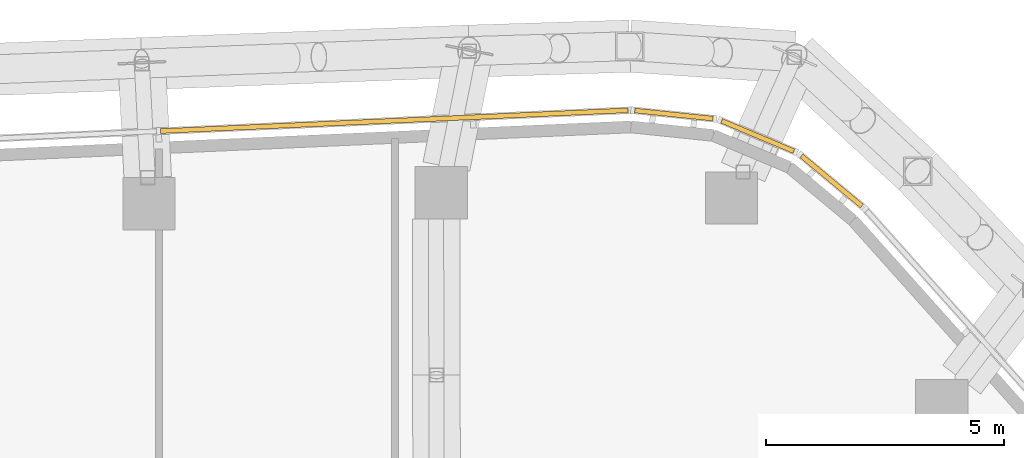
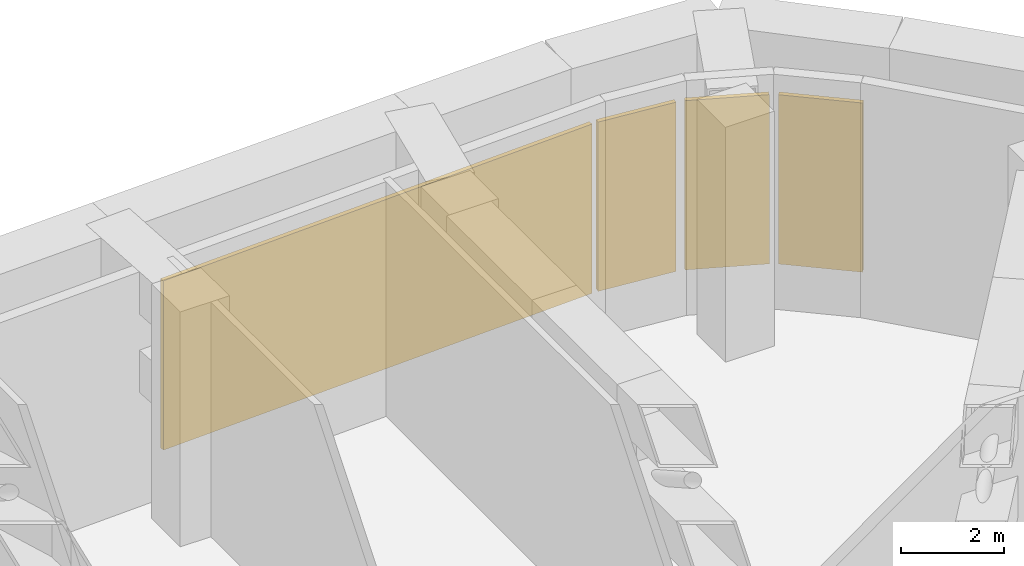
# One storey, part 31 of 31: 4 coverings, 2 elements without a shape of their own.
"""IFC4 building model written with IfcOpenShell, lengths in metres."""

from ifc_helpers import new_model, si_unit, direction, frame, origin, origin_2d, place, context, subcontext, project, spatial, rectangle, extrude, material, layer, layer_set, type_object, element, aggregate, save


model = new_model("IFC4")

# Units and contexts
model_context = context("Model", 3, precision=1e-05, world=origin(), true_north=direction((0.0, 1.0)))
body_context = subcontext(model_context, "Body", "Model", "MODEL_VIEW")
ifc_project = project(units=[si_unit("LENGTHUNIT", "METRE"), si_unit("AREAUNIT", "SQUARE_METRE"), si_unit("VOLUMEUNIT", "CUBIC_METRE"), si_unit("PLANEANGLEUNIT", "RADIAN"), si_unit("MASSUNIT", "GRAM", prefix="KILO")], contexts=[model_context])

# Site, building, storey
site_placement = place(None, origin())
site = spatial("IfcSite", under=ifc_project, at=site_placement, CompositionType="ELEMENT")
building_placement = place(site_placement, origin())
building = spatial("IfcBuilding", under=site, at=building_placement, Name="Dongbaek Canopy Tower", CompositionType="ELEMENT")
storey_placement = place(building_placement, frame((0.0, 0.0, 283.199951171875)))
storey = spatial("IfcBuildingStorey", under=building, at=storey_placement, Name="L60", CompositionType="ELEMENT", Elevation=283.199951171875)

# Curtain wall, coverings
ifc_material_1 = material(Name="Aluminium 6063-T6 pale anodised", Category="aluminium")
ifc_layer_1 = layer(ifc_material_1, 0.14990234375)
ifc_layer_set_1 = layer_set([ifc_layer_1], Name="CW-7 louvre curtain wall")
curtain_wall_type = type_object("IfcCurtainWallType", Name="CW-7 louvre curtain wall", PredefinedType="NOTDEFINED", material=ifc_layer_set_1)
curtain_wall_1_placement = place(storey_placement, origin())
curtain_wall_1 = element("IfcCurtainWall", 1, at=curtain_wall_1_placement, inside=storey, type_object=curtain_wall_type, Name="CW-7 louvre wall L60 K1", PredefinedType="NOTDEFINED")
ifc_material_2 = material(Name="Aluminium 6063-T6 pale metal louvre blades", Category="aluminium")
ifc_layer_2 = layer(ifc_material_2, 0.10009765625)
ifc_layer_set_2 = layer_set([ifc_layer_2], Name="Louvre LV bank 100 x 4000")
covering_type = type_object("IfcCoveringType", Name="Louvre LV bank 100 x 4000", PredefinedType="CLADDING", material=ifc_layer_set_2)
covering_1_placement = place(storey_placement, frame((13.101318359375, 24.958251953125, 0.775146484375), z_axis=(0.0, 0.0, 1.0), x_axis=(-0.769028273415, 0.639214764135, 0.0)))
covering_1 = element("IfcCovering", 2, at=covering_1_placement, type_object=covering_type, Name="Louvre L60 K1.1.1", PredefinedType="CLADDING", context=body_context, shape_type="SweptSolid", body=[
    extrude(rectangle(XDim=1.65234375, YDim=0.10009765625, at=origin_2d()), origin(), (0.0, 0.0, 1.0), 4.0),
])
covering_2_placement = place(storey_placement, frame((11.5439453125, 25.905029296875, 0.775146484375), z_axis=(0.0, 0.0, 1.0), x_axis=(-0.921716285141, 0.38786478276, 0.0)))
covering_2 = element("IfcCovering", 3, at=covering_2_placement, type_object=covering_type, Name="Louvre L60 K1.2.1", PredefinedType="CLADDING", context=body_context, shape_type="SweptSolid", body=[
    extrude(rectangle(XDim=1.644775390625, YDim=0.10009765625, at=origin_2d()), origin(), (0.0, 0.0, 1.0), 4.0),
])
covering_3_placement = place(storey_placement, frame((9.7783203125, 26.356689453125, 0.775146484375), z_axis=(0.0, 0.0, 1.0), x_axis=(-0.99468464791, 0.102968204863, 0.0)))
covering_3 = element("IfcCovering", 4, at=covering_3_placement, type_object=covering_type, Name="Louvre L60 K1.3.1", PredefinedType="CLADDING", context=body_context, shape_type="SweptSolid", body=[
    extrude(rectangle(XDim=1.65234375, YDim=0.10009765625, at=origin_2d()), origin(), (0.0, 0.0, 1.0), 4.0),
])
aggregate(curtain_wall_1, [covering_1, covering_2, covering_3])

# Curtain wall, covering
curtain_wall_2_placement = place(storey_placement, origin())
curtain_wall_2 = element("IfcCurtainWall", 5, at=curtain_wall_2_placement, inside=storey, type_object=curtain_wall_type, Name="CW-7 louvre wall L60 F1", PredefinedType="NOTDEFINED")
covering_4_placement = place(storey_placement, frame((3.896484375, 26.227294921875, 0.775146484375), z_axis=(0.0, 0.0, 1.0), x_axis=(-0.999013132127, -0.044415783654, 0.0)))
covering_4 = element("IfcCovering", 6, at=covering_4_placement, type_object=covering_type, Name="Louvre L60 F1.1.1", PredefinedType="CLADDING", context=body_context, shape_type="SweptSolid", body=[
    extrude(rectangle(XDim=9.846923828125, YDim=0.10009765625, at=origin_2d()), origin(), (0.0, 0.0, 1.0), 4.0),
])
aggregate(curtain_wall_2, [covering_4])

save(model, "model.ifc")
